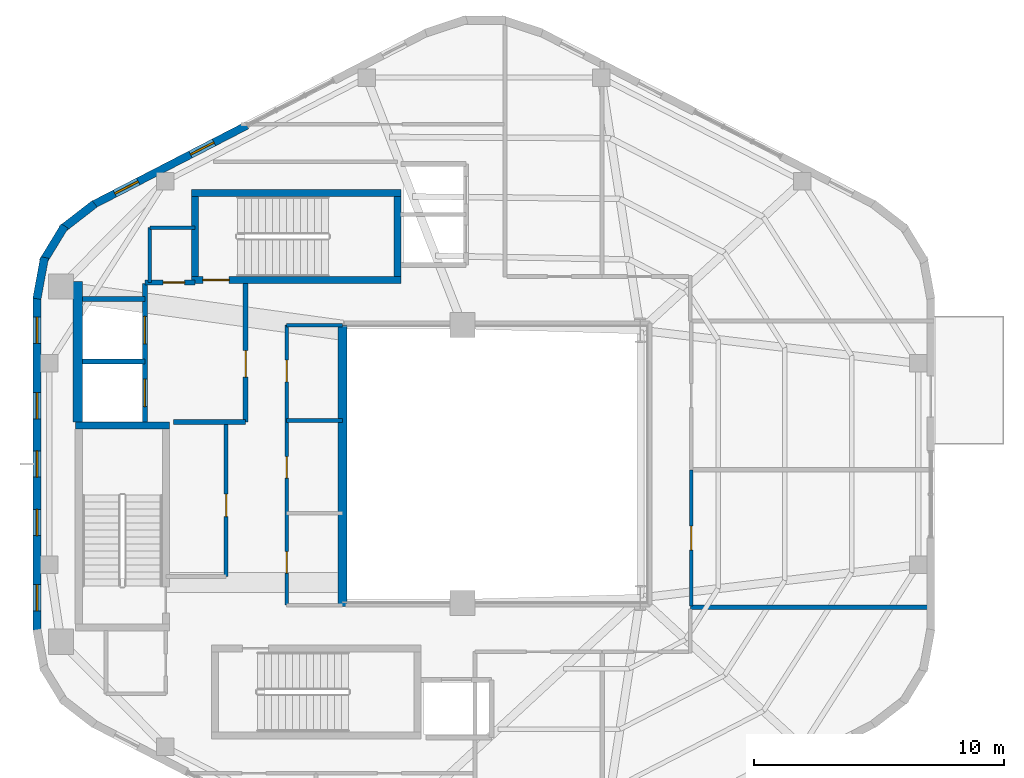
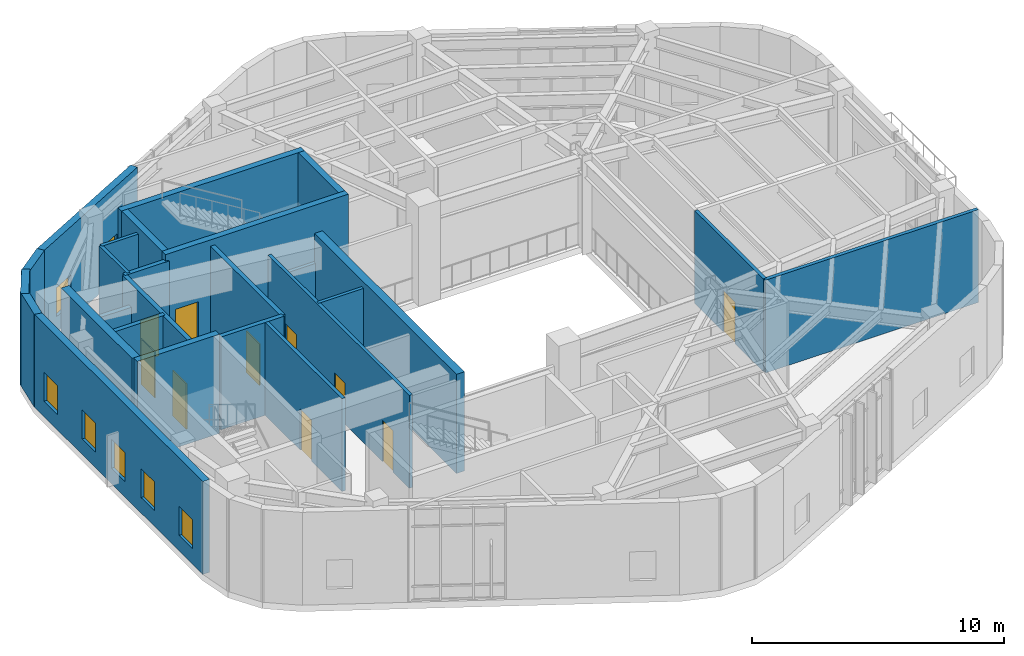
# One storey, part 15 of 19: 26 walls, 10 doors, 7 windows, 17 openings.
"""IFC4 building model written with IfcOpenShell, lengths in metres."""

from ifc_helpers import new_model, si_unit, direction, frame, frame_2d, origin, place, context, subcontext, project, spatial, rectangle, extrude, material, layer, layer_set, type_object, element, fill, save


model = new_model("IFC4")

# Units and contexts
model_context = context("Model", 3, precision=1e-05, world=origin(), true_north=direction((0.0, 1.0)))
body_context = subcontext(model_context, "Body", "Model", "MODEL_VIEW")
ifc_project = project(units=[si_unit("LENGTHUNIT", "METRE"), si_unit("AREAUNIT", "SQUARE_METRE"), si_unit("VOLUMEUNIT", "CUBIC_METRE"), si_unit("PLANEANGLEUNIT", "RADIAN"), si_unit("MASSUNIT", "GRAM", prefix="KILO"), si_unit("THERMODYNAMICTEMPERATUREUNIT", "KELVIN"), si_unit("POWERUNIT", "WATT")], contexts=[model_context])

# Site, building, storey
site_placement = place(None, origin())
site = spatial("IfcSite", under=ifc_project, at=site_placement, CompositionType="ELEMENT")
building_placement = place(site_placement, origin())
building = spatial("IfcBuilding", under=site, at=building_placement, Name="Skarre Station Tower", CompositionType="ELEMENT")
storey_placement = place(building_placement, frame((0.0, 0.0, 275.10009765625)))
storey = spatial("IfcBuildingStorey", under=building, at=storey_placement, Name="L75", CompositionType="ELEMENT", Elevation=275.10009765625)

# Wall, opening, door
ifc_material_1 = material(Name="Acoustic Steel-Stud Gypsum Partition", Category="steel")
ifc_layer_1 = layer(ifc_material_1, 0.14990234375, Name="Acoustic Steel-Stud Gypsum Partition")
ifc_layer_set_1 = layer_set([ifc_layer_1], Name="Acoustic Steel-Stud Gypsum Partition")
wall_type_1 = type_object("IfcWallType", Name="Fire-Rated Corridor Acoustic Partition 150", PredefinedType="PARTITIONING", material=ifc_layer_set_1)
wall_1_placement = place(storey_placement, frame((22.89990234375, 19.5, 0.0), z_axis=(0.0, 0.0, 1.0), x_axis=(0.0, 1.0, 0.0)))
wall_1 = element("IfcWall", 1, at=wall_1_placement, inside=storey, type_object=wall_type_1, Name="L75 Interior Partition WL-PT-L75-B3-E", PredefinedType="PARTITIONING", context=body_context, shape_type="SweptSolid", body=[
    extrude(rectangle(XDim=6.10009765625, YDim=0.159912109375, at=frame_2d((3.050048828125, 0.0))), origin(), (0.0, 0.0, 1.0), 4.489990234375),
])
opening_1_placement = place(wall_1_placement, frame((2.39990234375, 0.0, 0.0)))
opening_1 = element("IfcOpeningElement", 2, at=opening_1_placement, cuts=wall_1, Name="Opening DR-SVC90", PredefinedType="OPENING", context=body_context, shape_type="SweptSolid", body=[
    extrude(rectangle(XDim=0.89990234375, YDim=2.0, at=frame_2d((0.449951171875, 1.0))), frame((0.0, 0.08984375, 0.0), z_axis=(0.0, -1.0, 0.0), x_axis=(1.0, 0.0, 0.0)), (0.0, 0.0, 1.0), 0.179931640625),
])
ifc_material_2 = material(Name="Powder-Coated Hollow-Metal Acoustic Fire Leaf", Category="steel")
door_type_1 = type_object("IfcDoorType", Name="Service & Riser Fire Door FD60 900x2100", OperationType="SINGLE_SWING_LEFT", PredefinedType="DOOR", material=ifc_material_2)
door_1_placement = place(opening_1_placement, origin())
door_1 = element("IfcDoor", 3, at=door_1_placement, inside=storey, type_object=door_type_1, Name="L75 Observatory Pantry Door", OperationType="SINGLE_SWING_RIGHT", OverallHeight=2.0, OverallWidth=0.89990234375, PredefinedType="DOOR", context=body_context, shape_type="SweptSolid", body=[
    extrude(rectangle(XDim=0.89990234375, YDim=2.0, at=frame_2d((0.449951171875, 1.0))), frame((0.0, 0.02490234375, 0.0), z_axis=(0.0, -1.0, 0.0), x_axis=(1.0, 0.0, 0.0)), (0.0, 0.0, 1.0), 0.050048828125),
])
fill(opening_1, door_1)

# Wall
wall_2_placement = place(storey_placement, frame((25.320068359375, 25.739990234375, 0.0), z_axis=(0.0, 0.0, 1.0), x_axis=(1.0, 0.0, 0.0)))
element("IfcWall", 4, at=wall_2_placement, inside=storey, type_object=wall_type_1, Name="L75 Interior Partition WL-PT-L75-RC2-M2", PredefinedType="PARTITIONING", context=body_context, shape_type="SweptSolid", body=[
    extrude(rectangle(XDim=2.22998046875, YDim=0.14990234375, at=frame_2d((1.114990234375, 0.0))), origin(), (0.0, 0.0, 1.0), 4.489990234375),
])

# Wall, openings, doors
wall_3_placement = place(storey_placement, frame((25.320068359375, 29.550048828125, 0.0), z_axis=(0.0, 0.0, 1.0), x_axis=(0.0, -1.0, 0.0)))
wall_3 = element("IfcWall", 5, at=wall_3_placement, inside=storey, type_object=wall_type_1, Name="L75 Interior Partition WL-PT-L75-RC2-W", PredefinedType="PARTITIONING", context=body_context, shape_type="SweptSolid", body=[
    extrude(rectangle(XDim=11.18994140625, YDim=0.14990234375, at=frame_2d((5.594970703125, 0.0))), origin(), (0.0, 0.0, 1.0), 4.489990234375),
])
opening_2_placement = place(wall_3_placement, frame((1.39990234375, 0.0, 0.0)))
opening_2 = element("IfcOpeningElement", 6, at=opening_2_placement, cuts=wall_3, Name="Opening DR-SVC86", PredefinedType="OPENING", context=body_context, shape_type="SweptSolid", body=[
    extrude(rectangle(XDim=0.860107421875, YDim=2.0, at=frame_2d((0.43017578125, 1.0))), frame((0.0, 0.0849609375, 0.0), z_axis=(0.0, -1.0, 0.0), x_axis=(1.0, 0.0, 0.0)), (0.0, 0.0, 1.0), 0.169921875),
])
opening_3_placement = place(wall_3_placement, frame((5.25, 0.0, 0.0)))
opening_3 = element("IfcOpeningElement", 7, at=opening_3_placement, cuts=wall_3, Name="Opening DR-SVC86", PredefinedType="OPENING", context=body_context, shape_type="SweptSolid", body=[
    extrude(rectangle(XDim=0.860107421875, YDim=2.0, at=frame_2d((0.43017578125, 1.0))), frame((0.0, 0.0849609375, 0.0), z_axis=(0.0, -1.0, 0.0), x_axis=(1.0, 0.0, 0.0)), (0.0, 0.0, 1.0), 0.169921875),
])
opening_4_placement = place(wall_3_placement, frame((9.050048828125, 0.0, 0.0)))
opening_4 = element("IfcOpeningElement", 8, at=opening_4_placement, cuts=wall_3, Name="Opening DR-SVC86", PredefinedType="OPENING", context=body_context, shape_type="SweptSolid", body=[
    extrude(rectangle(XDim=0.860107421875, YDim=2.0, at=frame_2d((0.43017578125, 1.0))), frame((0.0, 0.0849609375, 0.0), z_axis=(0.0, -1.0, 0.0), x_axis=(1.0, 0.0, 0.0)), (0.0, 0.0, 1.0), 0.169921875),
])
door_type_2 = type_object("IfcDoorType", Name="Compact Riser Fire Door FD60 860x2100", OperationType="SINGLE_SWING_LEFT", PredefinedType="DOOR", material=ifc_material_2)
door_2_placement = place(opening_2_placement, origin())
door_2 = element("IfcDoor", 9, at=door_2_placement, inside=storey, type_object=door_type_2, Name="L75 Housekeeping Storage Door", OperationType="SINGLE_SWING_LEFT", OverallHeight=2.0, OverallWidth=0.860107421875, PredefinedType="DOOR", context=body_context, shape_type="SweptSolid", body=[
    extrude(rectangle(XDim=0.860107421875, YDim=2.0, at=frame_2d((0.43017578125, 1.0))), frame((0.0, 0.02490234375, 0.0), z_axis=(0.0, -1.0, 0.0), x_axis=(1.0, 0.0, 0.0)), (0.0, 0.0, 1.0), 0.050048828125),
])
fill(opening_2, door_2)
door_3_placement = place(opening_3_placement, origin())
door_3 = element("IfcDoor", 10, at=door_3_placement, inside=storey, type_object=door_type_2, Name="L75 Core IT Room Door", OperationType="SINGLE_SWING_LEFT", OverallHeight=2.0, OverallWidth=0.860107421875, PredefinedType="DOOR", context=body_context, shape_type="SweptSolid", body=[
    extrude(rectangle(XDim=0.860107421875, YDim=2.0, at=frame_2d((0.43017578125, 1.0))), frame((0.0, 0.02490234375, 0.0), z_axis=(0.0, -1.0, 0.0), x_axis=(1.0, 0.0, 0.0)), (0.0, 0.0, 1.0), 0.050048828125),
])
fill(opening_3, door_3)
door_4_placement = place(opening_4_placement, origin())
door_4 = element("IfcDoor", 11, at=door_4_placement, inside=storey, type_object=door_type_2, Name="L75 Beverage Pantry Door", OperationType="SINGLE_SWING_LEFT", OverallHeight=2.0, OverallWidth=0.860107421875, PredefinedType="DOOR", context=body_context, shape_type="SweptSolid", body=[
    extrude(rectangle(XDim=0.860107421875, YDim=2.0, at=frame_2d((0.43017578125, 1.0))), frame((0.0, 0.02490234375, 0.0), z_axis=(0.0, -1.0, 0.0), x_axis=(1.0, 0.0, 0.0)), (0.0, 0.0, 1.0), 0.050048828125),
])
fill(opening_4, door_4)

# Walls
wall_4_placement = place(storey_placement, frame((27.550048828125, 29.550048828125, 0.0), z_axis=(0.0, 0.0, 1.0), x_axis=(-1.0, 0.0, 0.0)))
element("IfcWall", 12, at=wall_4_placement, inside=storey, type_object=wall_type_1, Name="L75 Interior Partition WL-PT-L75-RC2-N", PredefinedType="PARTITIONING", context=body_context, shape_type="SweptSolid", body=[
    extrude(rectangle(XDim=2.22998046875, YDim=0.14990234375, at=frame_2d((1.114990234375, 0.0))), origin(), (0.0, 0.0, 1.0), 3.389892578125),
])
wall_5_placement = place(storey_placement, frame((19.85009765625, 33.449951171875, 0.0), z_axis=(0.0, 0.0, 1.0), x_axis=(0.0, -1.0, 0.0)))
element("IfcWall", 13, at=wall_5_placement, inside=storey, type_object=wall_type_1, Name="L75 Interior Partition WL-PT-L75-CNW-W", PredefinedType="PARTITIONING", context=body_context, shape_type="SweptSolid", body=[
    extrude(rectangle(XDim=2.18994140625, YDim=0.14990234375, at=frame_2d((1.094970703125, 0.0))), origin(), (0.0, 0.0, 1.0), 4.489990234375),
])
wall_6_placement = place(storey_placement, frame((21.659912109375, 33.449951171875, 0.0), z_axis=(0.0, 0.0, 1.0), x_axis=(-1.0, 0.0, 0.0)))
element("IfcWall", 14, at=wall_6_placement, inside=storey, type_object=wall_type_1, Name="L75 Interior Partition WL-PT-L75-CNW-N1", PredefinedType="PARTITIONING", context=body_context, shape_type="SweptSolid", body=[
    extrude(rectangle(XDim=1.809814453125, YDim=0.14990234375, at=frame_2d((0.90478515625, 0.0))), origin(), (0.0, 0.0, 1.0), 4.489990234375),
])

# Wall, opening, door
wall_7_placement = place(storey_placement, frame((41.489990234375, 18.320068359375, 0.0), z_axis=(0.0, 0.0, 1.0), x_axis=(0.0, 1.0, 0.0)))
wall_7 = element("IfcWall", 15, at=wall_7_placement, inside=storey, type_object=wall_type_1, Name="L75 Interior Partition WL-PT-L75-CRNE1-CW", PredefinedType="PARTITIONING", context=body_context, shape_type="SweptSolid", body=[
    extrude(rectangle(XDim=5.434814453125, YDim=0.14990234375, at=frame_2d((2.71728515625, 0.0))), origin(), (0.0, 0.0, 1.0), 4.489990234375),
])
opening_5_placement = place(wall_7_placement, frame((2.238037109375, 0.0, 0.0)))
opening_5 = element("IfcOpeningElement", 16, at=opening_5_placement, cuts=wall_7, Name="Opening DR-FD60", PredefinedType="OPENING", context=body_context, shape_type="SweptSolid", body=[
    extrude(rectangle(XDim=0.9599609375, YDim=2.0, at=frame_2d((0.47998046875, 1.0))), frame((0.0, 0.0849609375, 0.0), z_axis=(0.0, -1.0, 0.0), x_axis=(1.0, 0.0, 0.0)), (0.0, 0.0, 1.0), 0.169921875),
])
ifc_material_3 = material(Name="Nordic White-Oak Veneer Solid-Core Fire Leaf", Category="wood")
door_type_3 = type_object("IfcDoorType", Name="Corridor Suite Entry Fire Door FD60 960x2150", OperationType="SINGLE_SWING_LEFT", PredefinedType="DOOR", material=ifc_material_3)
door_5_placement = place(opening_5_placement, origin())
door_5 = element("IfcDoor", 17, at=door_5_placement, inside=storey, type_object=door_type_3, Name="L75 CRNE1 Entry Door", OperationType="SINGLE_SWING_LEFT", OverallHeight=2.0, OverallWidth=0.9599609375, PredefinedType="DOOR", context=body_context, shape_type="SweptSolid", body=[
    extrude(rectangle(XDim=0.9599609375, YDim=2.0, at=frame_2d((0.47998046875, 1.0))), frame((0.0, 0.02490234375, 0.0), z_axis=(0.0, -1.0, 0.0), x_axis=(1.0, 0.0, 0.0)), (0.0, 0.0, 1.0), 0.050048828125),
])
fill(opening_5, door_5)

# Walls
ifc_material_4 = material(Name="Precast concrete C45/55", Category="concrete")
ifc_layer_2 = layer(ifc_material_4, 0.330078125, Name="Precast concrete C45/55")
ifc_layer_set_2 = layer_set([ifc_layer_2], Name="Precast concrete C45/55")
wall_type_2 = type_object("IfcWallType", Name="Nordic Rounded Corner Precast Wall 330", PredefinedType="STANDARD", material=ifc_layer_set_2)
wall_8_placement = place(storey_placement, frame((15.337890625, 30.60791015625, 0.0), z_axis=(0.0, 0.0, 1.0), x_axis=(0.180832605401, 0.983513888475, 0.0)))
element("IfcWall", 18, at=wall_8_placement, inside=storey, type_object=wall_type_2, Name="L75 Rounded Corner Precast Wall F2-1", PredefinedType="STANDARD", context=body_context, shape_type="SweptSolid", body=[
    extrude(rectangle(XDim=1.6767578125, YDim=0.330078125, at=frame_2d((0.83837890625, 0.0))), origin(), (0.0, 0.0, 1.0), 4.489990234375),
])
wall_9_placement = place(storey_placement, frame((15.573974609375, 32.08203125, 0.0), z_axis=(0.0, 0.0, 1.0), x_axis=(0.520325409202, 0.853968072318, 0.0)))
element("IfcWall", 19, at=wall_9_placement, inside=storey, type_object=wall_type_2, Name="L75 Rounded Corner Precast Wall F2-2", PredefinedType="STANDARD", context=body_context, shape_type="SweptSolid", body=[
    extrude(rectangle(XDim=1.677978515625, YDim=0.330078125, at=frame_2d((0.8388671875, 0.0))), origin(), (0.0, 0.0, 1.0), 4.489990234375),
])
wall_10_placement = place(storey_placement, frame((16.322021484375, 33.375, 0.0), z_axis=(0.0, 0.0, 1.0), x_axis=(0.790691856293, 0.61221433207, 0.0)))
element("IfcWall", 20, at=wall_10_placement, inside=storey, type_object=wall_type_2, Name="L75 Rounded Corner Precast Wall F2-3", PredefinedType="STANDARD", context=body_context, shape_type="SweptSolid", body=[
    extrude(rectangle(XDim=1.67578125, YDim=0.330078125, at=frame_2d((0.837890625, 0.0))), origin(), (0.0, 0.0, 1.0), 4.489990234375),
])

# Wall, openings, windows
ifc_layer_3 = layer(ifc_material_4, 0.31005859375, Name="Precast concrete C45/55")
ifc_layer_set_3 = layer_set([ifc_layer_3], Name="Precast concrete C45/55")
wall_type_3 = type_object("IfcWallType", Name="Nordic Upper-Zone Precast Facet Wall 310", PredefinedType="STANDARD", material=ifc_layer_set_3)
wall_11_placement = place(storey_placement, frame((17.56591796875, 34.35400390625, 0.0), z_axis=(0.0, 0.0, 1.0), x_axis=(0.888622971019, 0.458638436437, 0.0)))
wall_11 = element("IfcWall", 21, at=wall_11_placement, inside=storey, type_object=wall_type_3, Name="L75 Facet 1 Pier A", PredefinedType="STANDARD", context=body_context, shape_type="SweptSolid", body=[
    extrude(rectangle(XDim=6.935546875, YDim=0.31005859375, at=frame_2d((3.4677734375, 0.0))), origin(), (0.0, 0.0, 1.0), 4.489990234375),
])
opening_6_placement = place(wall_11_placement, frame((0.998046875, 0.0, 0.75)))
opening_6 = element("IfcOpeningElement", 22, at=opening_6_placement, cuts=wall_11, Name="Opening WN-SLT", PredefinedType="OPENING", context=body_context, shape_type="SweptSolid", body=[
    extrude(rectangle(XDim=1.050048828125, YDim=1.39990234375, at=frame_2d((0.52490234375, 0.699951171875))), frame((0.0, 0.1650390625, 0.0), z_axis=(0.0, -1.0, 0.0), x_axis=(1.0, 0.0, 0.0)), (0.0, 0.0, 1.0), 0.330078125),
])
opening_7_placement = place(wall_11_placement, frame((4.403076171875, 0.0, 0.75)))
opening_7 = element("IfcOpeningElement", 23, at=opening_7_placement, cuts=wall_11, Name="Opening WN-SLT", PredefinedType="OPENING", context=body_context, shape_type="SweptSolid", body=[
    extrude(rectangle(XDim=1.050048828125, YDim=1.39990234375, at=frame_2d((0.52490234375, 0.699951171875))), frame((0.0, 0.1650390625, 0.0), z_axis=(0.0, -1.0, 0.0), x_axis=(1.0, 0.0, 0.0)), (0.0, 0.0, 1.0), 0.330078125),
])
ifc_material_5 = material(Name="Low-Iron Triple Glazing with Bronze Anodized Frame", Category="glass")
window_type = type_object("IfcWindowType", Name="Nordic Corner Slot Window 1050x1400", PartitioningType="SINGLE_PANEL", PredefinedType="WINDOW", material=ifc_material_5)
window_1_placement = place(opening_6_placement, origin())
window_1 = element("IfcWindow", 24, at=window_1_placement, inside=storey, type_object=window_type, Name="L75 Facade Window WL-FAC-L75-F1A-1", OverallHeight=1.39990234375, OverallWidth=1.050048828125, PartitioningType="SINGLE_PANEL", PredefinedType="WINDOW", context=body_context, shape_type="SweptSolid", body=[
    extrude(rectangle(XDim=1.050048828125, YDim=1.39990234375, at=frame_2d((0.52490234375, 0.699951171875))), frame((0.0, 0.030029296875, 0.0), z_axis=(0.0, -1.0, 0.0), x_axis=(1.0, 0.0, 0.0)), (0.0, 0.0, 1.0), 0.06005859375),
])
fill(opening_6, window_1)
window_2_placement = place(opening_7_placement, origin())
window_2 = element("IfcWindow", 25, at=window_2_placement, inside=storey, type_object=window_type, Name="L75 Facade Window WL-FAC-L75-F1A-2", OverallHeight=1.39990234375, OverallWidth=1.050048828125, PartitioningType="SINGLE_PANEL", PredefinedType="WINDOW", context=body_context, shape_type="SweptSolid", body=[
    extrude(rectangle(XDim=1.050048828125, YDim=1.39990234375, at=frame_2d((0.52490234375, 0.699951171875))), frame((0.0, 0.030029296875, 0.0), z_axis=(0.0, -1.0, 0.0), x_axis=(1.0, 0.0, 0.0)), (0.0, 0.0, 1.0), 0.06005859375),
])
fill(opening_7, window_2)

wall_12_placement = place(storey_placement, frame((15.342041015625, 17.298095703125, 0.0), z_axis=(0.0, 0.0, 1.0), x_axis=(0.0, 1.0, 0.0)))
wall_12 = element("IfcWall", 26, at=wall_12_placement, inside=storey, type_object=wall_type_3, Name="L75 Facet 2 Nordic Precast Masonry Wall", PredefinedType="STANDARD", context=body_context, shape_type="SweptSolid", body=[
    extrude(rectangle(XDim=13.40380859375, YDim=0.31005859375, at=frame_2d((6.701904296875, 0.0))), origin(), (0.0, 0.0, 1.0), 4.489990234375),
])
opening_8_placement = place(wall_12_placement, frame((0.8310546875, 0.0, 0.75)))
opening_8 = element("IfcOpeningElement", 27, at=opening_8_placement, cuts=wall_12, Name="Opening WN-SLT", PredefinedType="OPENING", context=body_context, shape_type="SweptSolid", body=[
    extrude(rectangle(XDim=1.050048828125, YDim=1.39990234375, at=frame_2d((0.52490234375, 0.699951171875))), frame((0.0, 0.1650390625, 0.0), z_axis=(0.0, -1.0, 0.0), x_axis=(1.0, 0.0, 0.0)), (0.0, 0.0, 1.0), 0.330078125),
])
opening_9_placement = place(wall_12_placement, frame((3.843017578125, 0.0, 0.75)))
opening_9 = element("IfcOpeningElement", 28, at=opening_9_placement, cuts=wall_12, Name="Opening WN-SLT", PredefinedType="OPENING", context=body_context, shape_type="SweptSolid", body=[
    extrude(rectangle(XDim=1.050048828125, YDim=1.39990234375, at=frame_2d((0.52490234375, 0.699951171875))), frame((0.0, 0.1650390625, 0.0), z_axis=(0.0, -1.0, 0.0), x_axis=(1.0, 0.0, 0.0)), (0.0, 0.0, 1.0), 0.330078125),
])
opening_10_placement = place(wall_12_placement, frame((6.177001953125, 0.0, 0.75)))
opening_10 = element("IfcOpeningElement", 29, at=opening_10_placement, cuts=wall_12, Name="Opening WN-SLT", PredefinedType="OPENING", context=body_context, shape_type="SweptSolid", body=[
    extrude(rectangle(XDim=1.050048828125, YDim=1.39990234375, at=frame_2d((0.52490234375, 0.699951171875))), frame((0.0, 0.1650390625, 0.0), z_axis=(0.0, -1.0, 0.0), x_axis=(1.0, 0.0, 0.0)), (0.0, 0.0, 1.0), 0.330078125),
])
opening_11_placement = place(wall_12_placement, frame((8.510986328125, 0.0, 0.75)))
opening_11 = element("IfcOpeningElement", 30, at=opening_11_placement, cuts=wall_12, Name="Opening WN-SLT", PredefinedType="OPENING", context=body_context, shape_type="SweptSolid", body=[
    extrude(rectangle(XDim=1.050048828125, YDim=1.39990234375, at=frame_2d((0.52490234375, 0.699951171875))), frame((0.0, 0.1650390625, 0.0), z_axis=(0.0, -1.0, 0.0), x_axis=(1.0, 0.0, 0.0)), (0.0, 0.0, 1.0), 0.330078125),
])
opening_12_placement = place(wall_12_placement, frame((11.52392578125, 0.0, 0.75)))
opening_12 = element("IfcOpeningElement", 31, at=opening_12_placement, cuts=wall_12, Name="Opening WN-SLT", PredefinedType="OPENING", context=body_context, shape_type="SweptSolid", body=[
    extrude(rectangle(XDim=1.050048828125, YDim=1.39990234375, at=frame_2d((0.52490234375, 0.699951171875))), frame((0.0, 0.1650390625, 0.0), z_axis=(0.0, -1.0, 0.0), x_axis=(1.0, 0.0, 0.0)), (0.0, 0.0, 1.0), 0.330078125),
])
window_3_placement = place(opening_8_placement, origin())
window_3 = element("IfcWindow", 32, at=window_3_placement, inside=storey, type_object=window_type, Name="L75 Facade Window WL-FAC-L75-F2-1", OverallHeight=1.39990234375, OverallWidth=1.050048828125, PartitioningType="SINGLE_PANEL", PredefinedType="WINDOW", context=body_context, shape_type="SweptSolid", body=[
    extrude(rectangle(XDim=1.050048828125, YDim=1.39990234375, at=frame_2d((0.52490234375, 0.699951171875))), frame((0.0, 0.030029296875, 0.0), z_axis=(0.0, -1.0, 0.0), x_axis=(1.0, 0.0, 0.0)), (0.0, 0.0, 1.0), 0.06005859375),
])
fill(opening_8, window_3)
window_4_placement = place(opening_9_placement, origin())
window_4 = element("IfcWindow", 33, at=window_4_placement, inside=storey, type_object=window_type, Name="L75 Facade Window WL-FAC-L75-F2-2", OverallHeight=1.39990234375, OverallWidth=1.050048828125, PartitioningType="SINGLE_PANEL", PredefinedType="WINDOW", context=body_context, shape_type="SweptSolid", body=[
    extrude(rectangle(XDim=1.050048828125, YDim=1.39990234375, at=frame_2d((0.52490234375, 0.699951171875))), frame((0.0, 0.030029296875, 0.0), z_axis=(0.0, -1.0, 0.0), x_axis=(1.0, 0.0, 0.0)), (0.0, 0.0, 1.0), 0.06005859375),
])
fill(opening_9, window_4)
window_5_placement = place(opening_10_placement, origin())
window_5 = element("IfcWindow", 34, at=window_5_placement, inside=storey, type_object=window_type, Name="L75 Facade Window WL-FAC-L75-F2-3", OverallHeight=1.39990234375, OverallWidth=1.050048828125, PartitioningType="SINGLE_PANEL", PredefinedType="WINDOW", context=body_context, shape_type="SweptSolid", body=[
    extrude(rectangle(XDim=1.050048828125, YDim=1.39990234375, at=frame_2d((0.52490234375, 0.699951171875))), frame((0.0, 0.030029296875, 0.0), z_axis=(0.0, -1.0, 0.0), x_axis=(1.0, 0.0, 0.0)), (0.0, 0.0, 1.0), 0.06005859375),
])
fill(opening_10, window_5)
window_6_placement = place(opening_11_placement, origin())
window_6 = element("IfcWindow", 35, at=window_6_placement, inside=storey, type_object=window_type, Name="L75 Facade Window WL-FAC-L75-F2-4", OverallHeight=1.39990234375, OverallWidth=1.050048828125, PartitioningType="SINGLE_PANEL", PredefinedType="WINDOW", context=body_context, shape_type="SweptSolid", body=[
    extrude(rectangle(XDim=1.050048828125, YDim=1.39990234375, at=frame_2d((0.52490234375, 0.699951171875))), frame((0.0, 0.030029296875, 0.0), z_axis=(0.0, -1.0, 0.0), x_axis=(1.0, 0.0, 0.0)), (0.0, 0.0, 1.0), 0.06005859375),
])
fill(opening_11, window_6)
window_7_placement = place(opening_12_placement, origin())
window_7 = element("IfcWindow", 36, at=window_7_placement, inside=storey, type_object=window_type, Name="L75 Facade Window WL-FAC-L75-F2-5", OverallHeight=1.39990234375, OverallWidth=1.050048828125, PartitioningType="SINGLE_PANEL", PredefinedType="WINDOW", context=body_context, shape_type="SweptSolid", body=[
    extrude(rectangle(XDim=1.050048828125, YDim=1.39990234375, at=frame_2d((0.52490234375, 0.699951171875))), frame((0.0, 0.030029296875, 0.0), z_axis=(0.0, -1.0, 0.0), x_axis=(1.0, 0.0, 0.0)), (0.0, 0.0, 1.0), 0.06005859375),
])
fill(opening_12, window_7)

# Wall
ifc_material_6 = material(Name="Concrete C50/60", Category="concrete")
ifc_layer_4 = layer(ifc_material_6, 0.280029296875, Name="Concrete C50/60")
ifc_layer_set_4 = layer_set([ifc_layer_4], Name="Concrete C50/60")
wall_type_4 = type_object("IfcWallType", Name="RC Core Shear Wall 280", PredefinedType="SHEAR", material=ifc_layer_set_4)
wall_13_placement = place(storey_placement, frame((20.6298828125, 25.5400390625, 0.0), z_axis=(0.0, 0.0, 1.0), x_axis=(-1.0, 0.0, 0.0)))
element("IfcWall", 37, at=wall_13_placement, inside=storey, type_object=wall_type_4, Name="L75 Stair ST-1 North Shear Wall", PredefinedType="SHEAR", context=body_context, shape_type="SweptSolid", body=[
    extrude(rectangle(XDim=3.759765625, YDim=0.280029296875, at=frame_2d((1.8798828125, 0.0))), origin(), (0.0, 0.0, 1.0), 4.7998046875),
])

# Wall, opening, door
wall_14_placement = place(storey_placement, frame((21.52001953125, 31.360107421875, 0.0), z_axis=(0.0, 0.0, 1.0), x_axis=(1.0, 0.0, 0.0)))
wall_14 = element("IfcWall", 38, at=wall_14_placement, inside=storey, type_object=wall_type_4, Name="L75 Stair ST-3 South Shear Wall", PredefinedType="SHEAR", context=body_context, shape_type="SweptSolid", body=[
    extrude(rectangle(XDim=8.35986328125, YDim=0.280029296875, at=frame_2d((4.179931640625, 0.0))), origin(), (0.0, 0.0, 1.0), 4.7998046875),
])
opening_13_placement = place(wall_14_placement, frame((0.449951171875, 0.0, 0.0)))
opening_13 = element("IfcOpeningElement", 39, at=opening_13_placement, cuts=wall_14, Name="Opening DR-FD90", PredefinedType="OPENING", context=body_context, shape_type="SweptSolid", body=[
    extrude(rectangle(XDim=1.050048828125, YDim=2.0, at=frame_2d((0.52490234375, 1.0))), frame((0.0, 0.14990234375, 0.0), z_axis=(0.0, -1.0, 0.0), x_axis=(1.0, 0.0, 0.0)), (0.0, 0.0, 1.0), 0.300048828125),
])
ifc_material_7 = material(Name="Fire-Rated Insulated Steel Frame & Timber Core Leaf", Category="steel")
door_type_4 = type_object("IfcDoorType", Name="Stair & FSAE Lobby Fire Door FD90 1050x2150", OperationType="SINGLE_SWING_RIGHT", PredefinedType="DOOR", material=ifc_material_7)
door_6_placement = place(opening_13_placement, origin())
door_6 = element("IfcDoor", 40, at=door_6_placement, inside=storey, type_object=door_type_4, Name="L75 Stair ST-3 & FSAE Lobby Direct Exit Door", OperationType="SINGLE_SWING_LEFT", OverallHeight=2.0, OverallWidth=1.050048828125, PredefinedType="DOOR", context=body_context, shape_type="SweptSolid", body=[
    extrude(rectangle(XDim=1.050048828125, YDim=2.0, at=frame_2d((0.52490234375, 1.0))), frame((0.0, 0.02490234375, 0.0), z_axis=(0.0, -1.0, 0.0), x_axis=(1.0, 0.0, 0.0)), (0.0, 0.0, 1.0), 0.050048828125),
])
fill(opening_13, door_6)

# Walls
wall_15_placement = place(storey_placement, frame((29.8798828125, 34.840087890625, 0.0), z_axis=(0.0, 0.0, 1.0), x_axis=(-1.0, 0.0, 0.0)))
element("IfcWall", 41, at=wall_15_placement, inside=storey, type_object=wall_type_4, Name="L75 Stair ST-3 North Shear Wall", PredefinedType="SHEAR", context=body_context, shape_type="SweptSolid", body=[
    extrude(rectangle(XDim=8.35986328125, YDim=0.280029296875, at=frame_2d((4.179931640625, 0.0))), origin(), (0.0, 0.0, 1.0), 4.7998046875),
])
for number, where, z_axis, x_axis, name in (
    (42, (21.659912109375, 34.699951171875, 0.0), (0.0, 0.0, 1.0), (0.0, -1.0, 0.0), "L75 Stair ST-3 West Shear Wall"),
    (43, (29.739990234375, 31.5, 0.0), (0.0, 0.0, 1.0), (0.0, 1.0, 0.0), "L75 Stair ST-3 East Shear Wall"),
):
    element("IfcWall", number, at=place(storey_placement, frame(where, z_axis=z_axis, x_axis=x_axis)), inside=storey, type_object=wall_type_4, Name=name, PredefinedType="SHEAR", context=body_context, shape_type="SweptSolid", body=[
        extrude(rectangle(XDim=3.199951171875, YDim=0.280029296875, at=frame_2d((1.60009765625, 0.0))), origin(), (0.0, 0.0, 1.0), 4.7998046875),
    ])
ifc_layer_5 = layer(ifc_material_6, 0.360107421875, Name="Concrete C50/60")
ifc_layer_set_5 = layer_set([ifc_layer_5], Name="Concrete C50/60")
wall_type_5 = type_object("IfcWallType", Name="RC Core Shear Wall 360", PredefinedType="SHEAR", material=ifc_layer_set_5)
wall_16_placement = place(storey_placement, frame((16.969970703125, 25.679931640625, 0.0), z_axis=(0.0, 0.0, 1.0), x_axis=(0.0, 1.0, 0.0)))
element("IfcWall", 44, at=wall_16_placement, inside=storey, type_object=wall_type_5, Name="L75 Core West-North Shear Wall", PredefinedType="SHEAR", context=body_context, shape_type="SweptSolid", body=[
    extrude(rectangle(XDim=5.6201171875, YDim=0.360107421875, at=frame_2d((2.81005859375, 0.0))), origin(), (0.0, 0.0, 1.0), 4.7998046875),
])
wall_17_placement = place(storey_placement, frame((27.550048828125, 29.550048828125, 0.0), z_axis=(0.0, 0.0, 1.0), x_axis=(0.0, -1.0, 0.0)))
element("IfcWall", 45, at=wall_17_placement, inside=storey, type_object=wall_type_5, Name="L75 Core East Atrium Shear Wall", PredefinedType="SHEAR", context=body_context, shape_type="SweptSolid", body=[
    extrude(rectangle(XDim=11.25, YDim=0.360107421875, at=frame_2d((5.625, 0.0))), origin(), (0.0, 0.0, 1.0), 4.7998046875),
])

# Wall, openings, doors
ifc_material_8 = material(Name="Gypsum Concrete Shaft Assembly C30/37", Category="concrete")
ifc_layer_6 = layer(ifc_material_8, 0.199951171875, Name="Gypsum Concrete Shaft Assembly C30/37")
ifc_layer_set_6 = layer_set([ifc_layer_6], Name="Gypsum Concrete Shaft Assembly C30/37")
wall_type_6 = type_object("IfcWallType", Name="Shaft & Core Fire Partition 200", PredefinedType="PARTITIONING", material=ifc_layer_set_6)
wall_18_placement = place(storey_placement, frame((19.64990234375, 25.679931640625, 0.0), z_axis=(0.0, 0.0, 1.0), x_axis=(0.0, 1.0, 0.0)))
wall_18 = element("IfcWall", 46, at=wall_18_placement, inside=storey, type_object=wall_type_6, Name="L75 Interior Partition WL-PT-L75-FSAE-W", PredefinedType="PARTITIONING", context=body_context, shape_type="SweptSolid", body=[
    extrude(rectangle(XDim=5.5400390625, YDim=0.199951171875, at=frame_2d((2.77001953125, 0.0))), origin(), (0.0, 0.0, 1.0), 4.489990234375),
])
opening_14_placement = place(wall_18_placement, frame((0.6201171875, 0.0, 0.0)))
opening_14 = element("IfcOpeningElement", 47, at=opening_14_placement, cuts=wall_18, Name="Opening LD-FF1", PredefinedType="OPENING", context=body_context, shape_type="SweptSolid", body=[
    extrude(rectangle(XDim=1.10009765625, YDim=2.199951171875, at=frame_2d((0.550048828125, 1.10009765625))), frame((0.0, 0.10986328125, 0.0), z_axis=(0.0, -1.0, 0.0), x_axis=(1.0, 0.0, 0.0)), (0.0, 0.0, 1.0), 0.219970703125),
])
opening_15_placement = place(wall_18_placement, frame((3.1201171875, 0.0, 0.0)))
opening_15 = element("IfcOpeningElement", 48, at=opening_15_placement, cuts=wall_18, Name="Opening LD-FF2", PredefinedType="OPENING", context=body_context, shape_type="SweptSolid", body=[
    extrude(rectangle(XDim=1.10009765625, YDim=2.199951171875, at=frame_2d((0.550048828125, 1.10009765625))), frame((0.0, 0.10986328125, 0.0), z_axis=(0.0, -1.0, 0.0), x_axis=(1.0, 0.0, 0.0)), (0.0, 0.0, 1.0), 0.219970703125),
])
ifc_material_9 = material(Name="Fire-Rated Stainless Steel Grade 316L Sliding Leaves", Category="steel")
door_type_5 = type_object("IfcDoorType", Name="Fire Service Access Elevator Sliding Landing Door 1100x2200", OperationType="SLIDING_TO_LEFT", PredefinedType="DOOR", material=ifc_material_9)
door_7_placement = place(opening_14_placement, origin())
door_7 = element("IfcDoor", 49, at=door_7_placement, inside=storey, type_object=door_type_5, Name="L75 Firefighting Lift LF-FF1 Landing Door", OperationType="SLIDING_TO_LEFT", OverallHeight=2.199951171875, OverallWidth=1.10009765625, PredefinedType="DOOR", context=body_context, shape_type="SweptSolid", body=[
    extrude(rectangle(XDim=1.10009765625, YDim=2.199951171875, at=frame_2d((0.550048828125, 1.10009765625))), frame((0.0, 0.02490234375, 0.0), z_axis=(0.0, -1.0, 0.0), x_axis=(1.0, 0.0, 0.0)), (0.0, 0.0, 1.0), 0.050048828125),
])
fill(opening_14, door_7)
door_8_placement = place(opening_15_placement, origin())
door_8 = element("IfcDoor", 50, at=door_8_placement, inside=storey, type_object=door_type_5, Name="L75 Firefighting Lift LF-FF2 Landing Door", OperationType="SLIDING_TO_LEFT", OverallHeight=2.199951171875, OverallWidth=1.10009765625, PredefinedType="DOOR", context=body_context, shape_type="SweptSolid", body=[
    extrude(rectangle(XDim=1.10009765625, YDim=2.199951171875, at=frame_2d((0.550048828125, 1.10009765625))), frame((0.0, 0.02490234375, 0.0), z_axis=(0.0, -1.0, 0.0), x_axis=(1.0, 0.0, 0.0)), (0.0, 0.0, 1.0), 0.050048828125),
])
fill(opening_15, door_8)

# Wall
wall_19_placement = place(storey_placement, frame((20.79296875, 25.679931640625, 0.0), z_axis=(0.0, 0.0, 1.0), x_axis=(1.0, 0.0, 0.0)))
element("IfcWall", 51, at=wall_19_placement, inside=storey, type_object=wall_type_6, Name="L75 Interior Partition WL-PT-L75-FSAE-S", PredefinedType="PARTITIONING", context=body_context, shape_type="SweptSolid", body=[
    extrude(rectangle(XDim=2.886962890625, YDim=0.199951171875, at=frame_2d((1.443359375, 0.0))), origin(), (0.0, 0.0, 1.0), 4.489990234375),
])

# Wall, opening, door
wall_20_placement = place(storey_placement, frame((23.679931640625, 25.679931640625, 0.0), z_axis=(0.0, 0.0, 1.0), x_axis=(0.0, 1.0, 0.0)))
wall_20 = element("IfcWall", 52, at=wall_20_placement, inside=storey, type_object=wall_type_6, Name="L75 Interior Partition WL-PT-L75-FSAE-E", PredefinedType="PARTITIONING", context=body_context, shape_type="SweptSolid", body=[
    extrude(rectangle(XDim=5.5400390625, YDim=0.199951171875, at=frame_2d((2.77001953125, 0.0))), origin(), (0.0, 0.0, 1.0), 4.489990234375),
])
opening_16_placement = place(wall_20_placement, frame((1.800048828125, 0.0, 0.0)))
opening_16 = element("IfcOpeningElement", 53, at=opening_16_placement, cuts=wall_20, Name="Opening DR-FD90", PredefinedType="OPENING", context=body_context, shape_type="SweptSolid", body=[
    extrude(rectangle(XDim=1.050048828125, YDim=2.0, at=frame_2d((0.52490234375, 1.0))), frame((0.0, 0.10986328125, 0.0), z_axis=(0.0, -1.0, 0.0), x_axis=(1.0, 0.0, 0.0)), (0.0, 0.0, 1.0), 0.219970703125),
])
door_9_placement = place(opening_16_placement, origin())
door_9 = element("IfcDoor", 54, at=door_9_placement, inside=storey, type_object=door_type_4, Name="L75 FSAE Lobby Fire Door", OperationType="SINGLE_SWING_RIGHT", OverallHeight=2.0, OverallWidth=1.050048828125, PredefinedType="DOOR", context=body_context, shape_type="SweptSolid", body=[
    extrude(rectangle(XDim=1.050048828125, YDim=2.0, at=frame_2d((0.52490234375, 1.0))), frame((0.0, 0.02490234375, 0.0), z_axis=(0.0, -1.0, 0.0), x_axis=(1.0, 0.0, 0.0)), (0.0, 0.0, 1.0), 0.050048828125),
])
fill(opening_16, door_9)

wall_21_placement = place(storey_placement, frame((21.659912109375, 31.260009765625, 0.0), z_axis=(0.0, 0.0, 1.0), x_axis=(-1.0, 0.0, 0.0)))
wall_21 = element("IfcWall", 55, at=wall_21_placement, inside=storey, type_object=wall_type_6, Name="L75 Interior Partition WL-PT-L75-FSAE-N", PredefinedType="PARTITIONING", context=body_context, shape_type="SweptSolid", body=[
    extrude(rectangle(XDim=2.010009765625, YDim=0.199951171875, at=frame_2d((1.0048828125, 0.0))), origin(), (0.0, 0.0, 1.0), 4.489990234375),
])
opening_17_placement = place(wall_21_placement, frame((0.419921875, 0.0, 0.0)))
opening_17 = element("IfcOpeningElement", 56, at=opening_17_placement, cuts=wall_21, Name="Opening DR-SVC86", PredefinedType="OPENING", context=body_context, shape_type="SweptSolid", body=[
    extrude(rectangle(XDim=0.860107421875, YDim=2.0, at=frame_2d((0.43017578125, 1.0))), frame((0.0, 0.10986328125, 0.0), z_axis=(0.0, -1.0, 0.0), x_axis=(1.0, 0.0, 0.0)), (0.0, 0.0, 1.0), 0.219970703125),
])
door_10_placement = place(opening_17_placement, origin())
door_10 = element("IfcDoor", 57, at=door_10_placement, inside=storey, type_object=door_type_2, Name="L75 Core Service Room Lobby Door", OperationType="SINGLE_SWING_LEFT", OverallHeight=2.0, OverallWidth=0.860107421875, PredefinedType="DOOR", context=body_context, shape_type="SweptSolid", body=[
    extrude(rectangle(XDim=0.860107421875, YDim=2.0, at=frame_2d((0.43017578125, 1.0))), frame((0.0, 0.02490234375, 0.0), z_axis=(0.0, -1.0, 0.0), x_axis=(1.0, 0.0, 0.0)), (0.0, 0.0, 1.0), 0.050048828125),
])
fill(opening_17, door_10)

# Walls
wall_22_placement = place(storey_placement, frame((17.14990234375, 28.10009765625, 0.0), z_axis=(0.0, 0.0, 1.0), x_axis=(1.0, 0.0, 0.0)))
element("IfcWall", 58, at=wall_22_placement, inside=storey, type_object=wall_type_6, Name="L75 Interior Partition WL-PT-L75-FF-DIV", PredefinedType="PARTITIONING", context=body_context, shape_type="SweptSolid", body=[
    extrude(rectangle(XDim=2.5, YDim=0.199951171875, at=frame_2d((1.25, 0.0))), origin(), (0.0, 0.0, 1.0), 4.489990234375),
])
wall_23_placement = place(storey_placement, frame((19.64990234375, 30.60009765625, 0.0), z_axis=(0.0, 0.0, 1.0), x_axis=(-1.0, 0.0, 0.0)))
element("IfcWall", 59, at=wall_23_placement, inside=storey, type_object=wall_type_6, Name="L75 Interior Partition WL-PT-L75-FF-N", PredefinedType="PARTITIONING", context=body_context, shape_type="SweptSolid", body=[
    extrude(rectangle(XDim=2.5, YDim=0.199951171875, at=frame_2d((1.25, 0.0))), origin(), (0.0, 0.0, 1.0), 3.389892578125),
])
ifc_layer_7 = layer(ifc_material_1, 0.1650390625, Name="Acoustic Steel-Stud Gypsum Partition")
ifc_layer_set_7 = layer_set([ifc_layer_7], Name="Acoustic Steel-Stud Gypsum Partition")
wall_type_7 = type_object("IfcWallType", Name="Suite Demising Acoustic Partition 165", PredefinedType="PARTITIONING", material=ifc_layer_set_7)
wall_24_placement = place(storey_placement, frame((41.449951171875, 18.280029296875, 0.0), z_axis=(0.0, 0.0, 1.0), x_axis=(1.0, 0.0, 0.0)))
element("IfcWall", 60, at=wall_24_placement, inside=storey, type_object=wall_type_7, Name="L75 Interior Partition WL-PT-L75-CRNE-S", PredefinedType="PARTITIONING", context=body_context, shape_type="SweptSolid", body=[
    extrude(rectangle(XDim=9.733154296875, YDim=0.1650390625, at=frame_2d((4.86669921875, 0.0))), origin(), (0.0, 0.0, 1.0), 4.489990234375),
])

save(model, "model.ifc")
